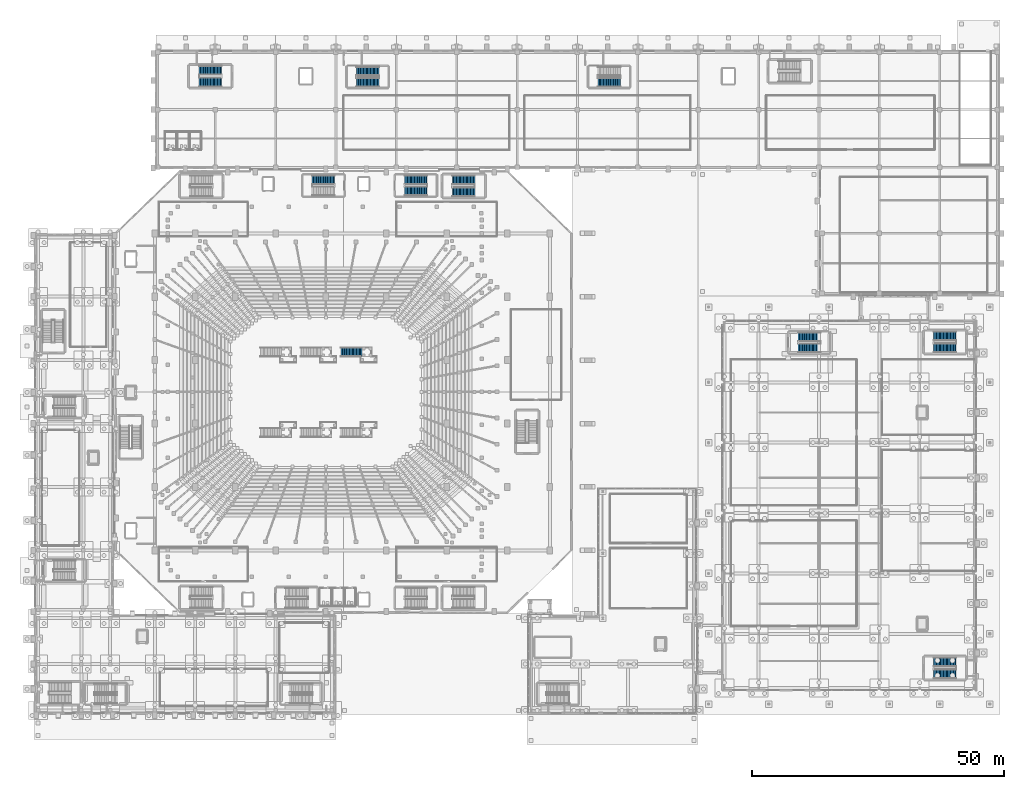
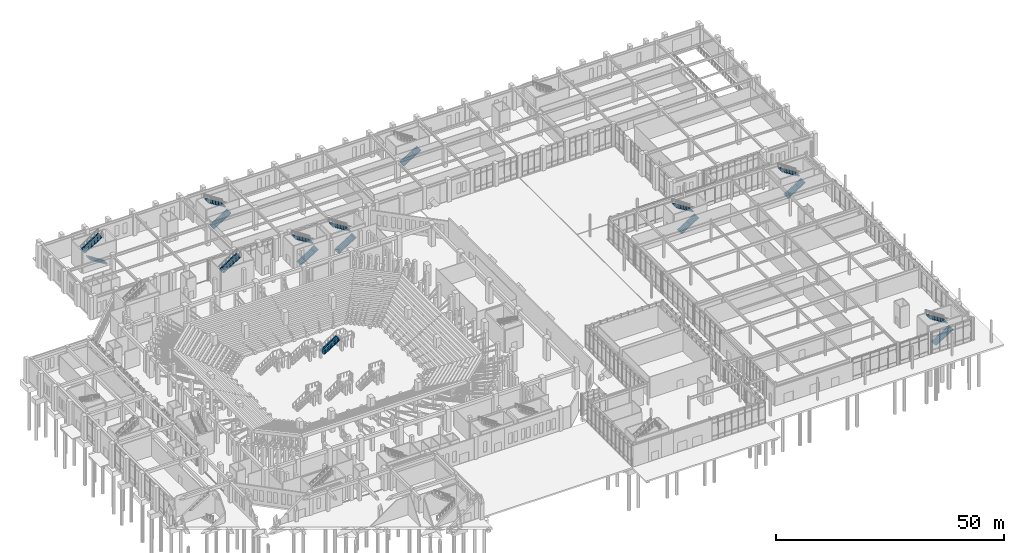
# One storey, part 124 of 143: 17 stair flights, 10 elements without a shape of their own.
"""IFC4 building model written with IfcOpenShell, lengths in metres."""

from ifc_helpers import new_model, si_unit, derived_unit, direction, frame, origin, place, context, subcontext, project, spatial, polyline, outline, extrude, material, type_object, element, aggregate, save


model = new_model("IFC4")

# Units and contexts
model_context = context("Model", 3, precision=1e-05, world=origin(), true_north=direction((0.0, 1.0)))
body_context = subcontext(model_context, "Body", "Model", "MODEL_VIEW")
ifc_project = project(units=[si_unit("LENGTHUNIT", "METRE"), si_unit("AREAUNIT", "SQUARE_METRE"), si_unit("VOLUMEUNIT", "CUBIC_METRE"), si_unit("PLANEANGLEUNIT", "RADIAN"), si_unit("MASSUNIT", "GRAM", prefix="KILO"), derived_unit("THERMALTRANSMITTANCEUNIT", [(si_unit("MASSUNIT", "GRAM", prefix="KILO"), 1), (si_unit("TIMEUNIT", "SECOND"), -3), (si_unit("THERMODYNAMICTEMPERATUREUNIT", "KELVIN"), -1)])], contexts=[model_context])

# Site, building, storey
site_placement = place(None, origin())
site = spatial("IfcSite", under=ifc_project, at=site_placement, CompositionType="ELEMENT")
building_placement = place(site_placement, origin())
building = spatial("IfcBuilding", under=site, at=building_placement, Name="Valcora Ridge Arena", CompositionType="ELEMENT")
storey_placement = place(building_placement, origin())
storey = spatial("IfcBuildingStorey", under=building, at=storey_placement, Name="L00", CompositionType="ELEMENT", Elevation=0.0)

# Stair, stair flight
ifc_material = material(Name="Concrete C40/50", Category="concrete")
stair_type_1 = type_object("IfcStairType", Name="TY-STAIR-ES03-60", PredefinedType="HALF_TURN_STAIR", material=ifc_material)
stair_1_placement = place(storey_placement, origin())
stair_1 = element("IfcStair", 1, at=stair_1_placement, inside=storey, type_object=stair_type_1, Name="ES03-60 STR-ES-0009", PredefinedType="HALF_TURN_STAIR")
stair_flight_type_1 = type_object("IfcStairFlightType", Name="TY-FLIGHT-ES03-60", PredefinedType="STRAIGHT", material=ifc_material)
stair_flight_1_placement = place(storey_placement, frame((55.260009765625, 106.219970703125, 3.0), z_axis=(0.0, 0.0, 1.0), x_axis=(1.0, 0.0, 0.0)))
stair_flight_1 = element("IfcStairFlight", 2, at=stair_flight_1_placement, type_object=stair_flight_type_1, Name="ES03-60 flight 2", NumberOfRisers=17, NumberOfTreads=16, PredefinedType="STRAIGHT", RiserHeight=0.176471, TreadLength=0.28, context=body_context, shape_type="SweptSolid", body=[
    extrude(outline(polyline([(0.0, 0.0), (0.0, 0.176513671875), (0.280029296875, 0.176513671875), (0.280029296875, 0.35302734375), (0.56005859375, 0.35302734375), (0.56005859375, 0.529296875), (0.840087890625, 0.529296875), (0.840087890625, 0.705810546875), (1.1201171875, 0.705810546875), (1.1201171875, 0.88232421875), (1.39990234375, 0.88232421875), (1.39990234375, 1.058837890625), (1.679931640625, 1.058837890625), (1.679931640625, 1.2353515625), (1.9599609375, 1.2353515625), (1.9599609375, 1.411865234375), (2.239990234375, 1.411865234375), (2.239990234375, 1.588134765625), (2.52001953125, 1.588134765625), (2.52001953125, 1.7646484375), (2.800048828125, 1.7646484375), (2.800048828125, 1.941162109375), (3.080078125, 1.941162109375), (3.080078125, 2.11767578125), (3.360107421875, 2.11767578125), (3.360107421875, 2.294189453125), (3.639892578125, 2.294189453125), (3.639892578125, 2.470703125), (3.919921875, 2.470703125), (3.919921875, 2.64697265625), (4.199951171875, 2.64697265625), (4.199951171875, 2.823486328125), (4.47998046875, 2.823486328125), (4.47998046875, 3.0), (4.47998046875, 2.61083984375), (0.33740234375, 0.0), (0.0, 0.0)])), frame((0.0, 0.89990234375, 0.0), z_axis=(0.0, -1.0, 0.0), x_axis=(1.0, 0.0, 0.0)), (0.0, 0.0, 1.0), 1.800048828125),
])
aggregate(stair_1, [stair_flight_1])

# Stair, stair flights
stair_type_2 = type_object("IfcStairType", Name="TY-STAIR-ES04-60", PredefinedType="HALF_TURN_STAIR", material=ifc_material)
stair_2_placement = place(storey_placement, origin())
stair_2 = element("IfcStair", 3, at=stair_2_placement, inside=storey, type_object=stair_type_2, Name="ES04-60 STR-ES-0013", PredefinedType="HALF_TURN_STAIR")
stair_flight_type_2 = type_object("IfcStairFlightType", Name="TY-FLIGHT-ES04-60", PredefinedType="STRAIGHT", material=ifc_material)
stair_flight_2_placement = place(storey_placement, frame((73.659912109375, 103.97998046875, 0.0), z_axis=(0.0, 0.0, 1.0), x_axis=(1.0, 0.0, 0.0)))
stair_flight_2 = element("IfcStairFlight", 4, at=stair_flight_2_placement, type_object=stair_flight_type_2, Name="ES04-60 flight 1", NumberOfRisers=17, NumberOfTreads=16, PredefinedType="STRAIGHT", RiserHeight=0.176471, TreadLength=0.28, context=body_context, shape_type="SweptSolid", body=[
    extrude(outline(polyline([(0.0, 0.0), (0.0, 0.176513671875), (0.280029296875, 0.176513671875), (0.280029296875, 0.35302734375), (0.56005859375, 0.35302734375), (0.56005859375, 0.529296875), (0.840087890625, 0.529296875), (0.840087890625, 0.705810546875), (1.1201171875, 0.705810546875), (1.1201171875, 0.88232421875), (1.39990234375, 0.88232421875), (1.39990234375, 1.058837890625), (1.679931640625, 1.058837890625), (1.679931640625, 1.2353515625), (1.9599609375, 1.2353515625), (1.9599609375, 1.411865234375), (2.239990234375, 1.411865234375), (2.239990234375, 1.588134765625), (2.52001953125, 1.588134765625), (2.52001953125, 1.7646484375), (2.800048828125, 1.7646484375), (2.800048828125, 1.941162109375), (3.080078125, 1.941162109375), (3.080078125, 2.11767578125), (3.360107421875, 2.11767578125), (3.360107421875, 2.294189453125), (3.639892578125, 2.294189453125), (3.639892578125, 2.470703125), (3.919921875, 2.470703125), (3.919921875, 2.64697265625), (4.199951171875, 2.64697265625), (4.199951171875, 2.823486328125), (4.47998046875, 2.823486328125), (4.47998046875, 3.0), (4.47998046875, 2.61083984375), (0.33740234375, 0.0), (0.0, 0.0)])), frame((0.0, 0.89990234375, 0.0), z_axis=(0.0, -1.0, 0.0), x_axis=(1.0, 0.0, 0.0)), (0.0, 0.0, 1.0), 1.800048828125),
])
stair_flight_3_placement = place(storey_placement, frame((78.139892578125, 106.219970703125, 3.0), z_axis=(0.0, 0.0, 1.0), x_axis=(-1.0, 0.0, 0.0)))
stair_flight_3 = element("IfcStairFlight", 5, at=stair_flight_3_placement, type_object=stair_flight_type_2, Name="ES04-60 flight 2", NumberOfRisers=17, NumberOfTreads=16, PredefinedType="STRAIGHT", RiserHeight=0.176471, TreadLength=0.28, context=body_context, shape_type="SweptSolid", body=[
    extrude(outline(polyline([(0.0, 0.0), (0.0, 0.176513671875), (0.280029296875, 0.176513671875), (0.280029296875, 0.35302734375), (0.56005859375, 0.35302734375), (0.56005859375, 0.529296875), (0.840087890625, 0.529296875), (0.840087890625, 0.705810546875), (1.1201171875, 0.705810546875), (1.1201171875, 0.88232421875), (1.39990234375, 0.88232421875), (1.39990234375, 1.058837890625), (1.679931640625, 1.058837890625), (1.679931640625, 1.2353515625), (1.9599609375, 1.2353515625), (1.9599609375, 1.411865234375), (2.239990234375, 1.411865234375), (2.239990234375, 1.588134765625), (2.52001953125, 1.588134765625), (2.52001953125, 1.7646484375), (2.800048828125, 1.7646484375), (2.800048828125, 1.941162109375), (3.080078125, 1.941162109375), (3.080078125, 2.11767578125), (3.360107421875, 2.11767578125), (3.360107421875, 2.294189453125), (3.639892578125, 2.294189453125), (3.639892578125, 2.470703125), (3.919921875, 2.470703125), (3.919921875, 2.64697265625), (4.199951171875, 2.64697265625), (4.199951171875, 2.823486328125), (4.47998046875, 2.823486328125), (4.47998046875, 3.0), (4.47998046875, 2.61083984375), (0.33740234375, 0.0), (0.0, 0.0)])), frame((0.0, 0.89990234375, 0.0), z_axis=(0.0, -1.0, 0.0), x_axis=(1.0, 0.0, 0.0)), (0.0, 0.0, 1.0), 1.800048828125),
])
aggregate(stair_2, [stair_flight_2, stair_flight_3])

stair_type_3 = type_object("IfcStairType", Name="TY-STAIR-ES09-60", PredefinedType="HALF_TURN_STAIR", material=ifc_material)
stair_3_placement = place(storey_placement, origin())
stair_3 = element("IfcStair", 6, at=stair_3_placement, inside=storey, type_object=stair_type_3, Name="ES09-60 STR-ES-0030", PredefinedType="HALF_TURN_STAIR")
stair_flight_type_3 = type_object("IfcStairFlightType", Name="TY-FLIGHT-ES09-60", PredefinedType="STRAIGHT", material=ifc_material)
stair_flight_4_placement = place(storey_placement, frame((64.06005859375, 125.580078125, 0.0), z_axis=(0.0, 0.0, 1.0), x_axis=(1.0, 0.0, 0.0)))
stair_flight_4 = element("IfcStairFlight", 7, at=stair_flight_4_placement, type_object=stair_flight_type_3, Name="ES09-60 flight 1", NumberOfRisers=17, NumberOfTreads=16, PredefinedType="STRAIGHT", RiserHeight=0.176471, TreadLength=0.28, context=body_context, shape_type="SweptSolid", body=[
    extrude(outline(polyline([(0.0, 0.0), (0.0, 0.176513671875), (0.280029296875, 0.176513671875), (0.280029296875, 0.35302734375), (0.56005859375, 0.35302734375), (0.56005859375, 0.529296875), (0.840087890625, 0.529296875), (0.840087890625, 0.705810546875), (1.1201171875, 0.705810546875), (1.1201171875, 0.88232421875), (1.39990234375, 0.88232421875), (1.39990234375, 1.058837890625), (1.679931640625, 1.058837890625), (1.679931640625, 1.2353515625), (1.9599609375, 1.2353515625), (1.9599609375, 1.411865234375), (2.239990234375, 1.411865234375), (2.239990234375, 1.588134765625), (2.52001953125, 1.588134765625), (2.52001953125, 1.7646484375), (2.800048828125, 1.7646484375), (2.800048828125, 1.941162109375), (3.080078125, 1.941162109375), (3.080078125, 2.11767578125), (3.360107421875, 2.11767578125), (3.360107421875, 2.294189453125), (3.639892578125, 2.294189453125), (3.639892578125, 2.470703125), (3.919921875, 2.470703125), (3.919921875, 2.64697265625), (4.199951171875, 2.64697265625), (4.199951171875, 2.823486328125), (4.47998046875, 2.823486328125), (4.47998046875, 3.0), (4.47998046875, 2.61083984375), (0.33740234375, 0.0), (0.0, 0.0)])), frame((0.0, 0.89990234375, 0.0), z_axis=(0.0, -1.0, 0.0), x_axis=(1.0, 0.0, 0.0)), (0.0, 0.0, 1.0), 1.800048828125),
])
stair_flight_5_placement = place(storey_placement, frame((68.5400390625, 127.820068359375, 3.0), z_axis=(0.0, 0.0, 1.0), x_axis=(-1.0, 0.0, 0.0)))
stair_flight_5 = element("IfcStairFlight", 8, at=stair_flight_5_placement, type_object=stair_flight_type_3, Name="ES09-60 flight 2", NumberOfRisers=17, NumberOfTreads=16, PredefinedType="STRAIGHT", RiserHeight=0.176471, TreadLength=0.28, context=body_context, shape_type="SweptSolid", body=[
    extrude(outline(polyline([(0.0, 0.0), (0.0, 0.176513671875), (0.280029296875, 0.176513671875), (0.280029296875, 0.35302734375), (0.56005859375, 0.35302734375), (0.56005859375, 0.529296875), (0.840087890625, 0.529296875), (0.840087890625, 0.705810546875), (1.1201171875, 0.705810546875), (1.1201171875, 0.88232421875), (1.39990234375, 0.88232421875), (1.39990234375, 1.058837890625), (1.679931640625, 1.058837890625), (1.679931640625, 1.2353515625), (1.9599609375, 1.2353515625), (1.9599609375, 1.411865234375), (2.239990234375, 1.411865234375), (2.239990234375, 1.588134765625), (2.52001953125, 1.588134765625), (2.52001953125, 1.7646484375), (2.800048828125, 1.7646484375), (2.800048828125, 1.941162109375), (3.080078125, 1.941162109375), (3.080078125, 2.11767578125), (3.360107421875, 2.11767578125), (3.360107421875, 2.294189453125), (3.639892578125, 2.294189453125), (3.639892578125, 2.470703125), (3.919921875, 2.470703125), (3.919921875, 2.64697265625), (4.199951171875, 2.64697265625), (4.199951171875, 2.823486328125), (4.47998046875, 2.823486328125), (4.47998046875, 3.0), (4.47998046875, 2.61083984375), (0.33740234375, 0.0), (0.0, 0.0)])), frame((0.0, 0.89990234375, 0.0), z_axis=(0.0, -1.0, 0.0), x_axis=(1.0, 0.0, 0.0)), (0.0, 0.0, 1.0), 1.800048828125),
])
aggregate(stair_3, [stair_flight_4, stair_flight_5])

# Stair, stair flight
stair_type_4 = type_object("IfcStairType", Name="TY-STAIR-ES10-60", PredefinedType="HALF_TURN_STAIR", material=ifc_material)
stair_4_placement = place(storey_placement, origin())
stair_4 = element("IfcStair", 9, at=stair_4_placement, inside=storey, type_object=stair_type_4, Name="ES10-60 STR-ES-0033", PredefinedType="HALF_TURN_STAIR")
stair_flight_type_4 = type_object("IfcStairFlightType", Name="TY-FLIGHT-ES10-60", PredefinedType="STRAIGHT", material=ifc_material)
stair_flight_6_placement = place(storey_placement, frame((112.06005859375, 125.580078125, 0.0), z_axis=(0.0, 0.0, 1.0), x_axis=(1.0, 0.0, 0.0)))
stair_flight_6 = element("IfcStairFlight", 10, at=stair_flight_6_placement, type_object=stair_flight_type_4, Name="ES10-60 flight 1", NumberOfRisers=17, NumberOfTreads=16, PredefinedType="STRAIGHT", RiserHeight=0.176471, TreadLength=0.28, context=body_context, shape_type="SweptSolid", body=[
    extrude(outline(polyline([(0.0, 0.0), (0.0, 0.176513671875), (0.280029296875, 0.176513671875), (0.280029296875, 0.35302734375), (0.56005859375, 0.35302734375), (0.56005859375, 0.529296875), (0.840087890625, 0.529296875), (0.840087890625, 0.705810546875), (1.1201171875, 0.705810546875), (1.1201171875, 0.88232421875), (1.39990234375, 0.88232421875), (1.39990234375, 1.058837890625), (1.679931640625, 1.058837890625), (1.679931640625, 1.2353515625), (1.9599609375, 1.2353515625), (1.9599609375, 1.411865234375), (2.239990234375, 1.411865234375), (2.239990234375, 1.588134765625), (2.52001953125, 1.588134765625), (2.52001953125, 1.7646484375), (2.800048828125, 1.7646484375), (2.800048828125, 1.941162109375), (3.080078125, 1.941162109375), (3.080078125, 2.11767578125), (3.360107421875, 2.11767578125), (3.360107421875, 2.294189453125), (3.639892578125, 2.294189453125), (3.639892578125, 2.470703125), (3.919921875, 2.470703125), (3.919921875, 2.64697265625), (4.199951171875, 2.64697265625), (4.199951171875, 2.823486328125), (4.47998046875, 2.823486328125), (4.47998046875, 3.0), (4.47998046875, 2.61083984375), (0.33740234375, 0.0), (0.0, 0.0)])), frame((0.0, 0.89990234375, 0.0), z_axis=(0.0, -1.0, 0.0), x_axis=(1.0, 0.0, 0.0)), (0.0, 0.0, 1.0), 1.800048828125),
])
aggregate(stair_4, [stair_flight_6])

# Stair, stair flights
stair_type_5 = type_object("IfcStairType", Name="TY-STAIR-ES12-60", PredefinedType="HALF_TURN_STAIR", material=ifc_material)
stair_5_placement = place(storey_placement, origin())
stair_5 = element("IfcStair", 11, at=stair_5_placement, inside=storey, type_object=stair_type_5, Name="ES12-60 STR-ES-0037", PredefinedType="HALF_TURN_STAIR")
stair_flight_type_5 = type_object("IfcStairFlightType", Name="TY-FLIGHT-ES12-60", PredefinedType="STRAIGHT", material=ifc_material)
stair_flight_7_placement = place(storey_placement, frame((151.860107421875, 72.780029296875, 0.0), z_axis=(0.0, 0.0, 1.0), x_axis=(1.0, 0.0, 0.0)))
stair_flight_7 = element("IfcStairFlight", 12, at=stair_flight_7_placement, type_object=stair_flight_type_5, Name="ES12-60 flight 1", NumberOfRisers=17, NumberOfTreads=16, PredefinedType="STRAIGHT", RiserHeight=0.176471, TreadLength=0.28, context=body_context, shape_type="SweptSolid", body=[
    extrude(outline(polyline([(0.0, 0.0), (0.0, 0.176513671875), (0.280029296875, 0.176513671875), (0.280029296875, 0.35302734375), (0.56005859375, 0.35302734375), (0.56005859375, 0.529296875), (0.840087890625, 0.529296875), (0.840087890625, 0.705810546875), (1.1201171875, 0.705810546875), (1.1201171875, 0.88232421875), (1.39990234375, 0.88232421875), (1.39990234375, 1.058837890625), (1.679931640625, 1.058837890625), (1.679931640625, 1.2353515625), (1.9599609375, 1.2353515625), (1.9599609375, 1.411865234375), (2.239990234375, 1.411865234375), (2.239990234375, 1.588134765625), (2.52001953125, 1.588134765625), (2.52001953125, 1.7646484375), (2.800048828125, 1.7646484375), (2.800048828125, 1.941162109375), (3.080078125, 1.941162109375), (3.080078125, 2.11767578125), (3.360107421875, 2.11767578125), (3.360107421875, 2.294189453125), (3.639892578125, 2.294189453125), (3.639892578125, 2.470703125), (3.919921875, 2.470703125), (3.919921875, 2.64697265625), (4.199951171875, 2.64697265625), (4.199951171875, 2.823486328125), (4.47998046875, 2.823486328125), (4.47998046875, 3.0), (4.47998046875, 2.61083984375), (0.33740234375, 0.0), (0.0, 0.0)])), frame((0.0, 0.89990234375, 0.0), z_axis=(0.0, -1.0, 0.0), x_axis=(1.0, 0.0, 0.0)), (0.0, 0.0, 1.0), 1.800048828125),
])
stair_flight_8_placement = place(storey_placement, frame((156.340087890625, 75.02001953125, 3.0), z_axis=(0.0, 0.0, 1.0), x_axis=(-1.0, 0.0, 0.0)))
stair_flight_8 = element("IfcStairFlight", 13, at=stair_flight_8_placement, type_object=stair_flight_type_5, Name="ES12-60 flight 2", NumberOfRisers=17, NumberOfTreads=16, PredefinedType="STRAIGHT", RiserHeight=0.176471, TreadLength=0.28, context=body_context, shape_type="SweptSolid", body=[
    extrude(outline(polyline([(0.0, 0.0), (0.0, 0.176513671875), (0.280029296875, 0.176513671875), (0.280029296875, 0.35302734375), (0.56005859375, 0.35302734375), (0.56005859375, 0.529296875), (0.840087890625, 0.529296875), (0.840087890625, 0.705810546875), (1.1201171875, 0.705810546875), (1.1201171875, 0.88232421875), (1.39990234375, 0.88232421875), (1.39990234375, 1.058837890625), (1.679931640625, 1.058837890625), (1.679931640625, 1.2353515625), (1.9599609375, 1.2353515625), (1.9599609375, 1.411865234375), (2.239990234375, 1.411865234375), (2.239990234375, 1.588134765625), (2.52001953125, 1.588134765625), (2.52001953125, 1.7646484375), (2.800048828125, 1.7646484375), (2.800048828125, 1.941162109375), (3.080078125, 1.941162109375), (3.080078125, 2.11767578125), (3.360107421875, 2.11767578125), (3.360107421875, 2.294189453125), (3.639892578125, 2.294189453125), (3.639892578125, 2.470703125), (3.919921875, 2.470703125), (3.919921875, 2.64697265625), (4.199951171875, 2.64697265625), (4.199951171875, 2.823486328125), (4.47998046875, 2.823486328125), (4.47998046875, 3.0), (4.47998046875, 2.61083984375), (0.33740234375, 0.0), (0.0, 0.0)])), frame((0.0, 0.89990234375, 0.0), z_axis=(0.0, -1.0, 0.0), x_axis=(1.0, 0.0, 0.0)), (0.0, 0.0, 1.0), 1.800048828125),
])
aggregate(stair_5, [stair_flight_7, stair_flight_8])

stair_type_6 = type_object("IfcStairType", Name="TY-STAIR-ST04-60", PredefinedType="HALF_TURN_STAIR", material=ifc_material)
stair_6_placement = place(storey_placement, origin())
stair_6 = element("IfcStair", 14, at=stair_6_placement, inside=storey, type_object=stair_type_6, Name="ST04-60 STR-CR-0019", PredefinedType="HALF_TURN_STAIR")
stair_flight_type_6 = type_object("IfcStairFlightType", Name="TY-FLIGHT-ST04-60", PredefinedType="STRAIGHT", material=ifc_material)
stair_flight_9_placement = place(storey_placement, frame((83.110107421875, 103.804931640625, 0.0), z_axis=(0.0, 0.0, 1.0), x_axis=(1.0, 0.0, 0.0)))
stair_flight_9 = element("IfcStairFlight", 15, at=stair_flight_9_placement, type_object=stair_flight_type_6, Name="ST04-60 flight 1", NumberOfRisers=17, NumberOfTreads=16, PredefinedType="STRAIGHT", RiserHeight=0.176471, TreadLength=0.28, context=body_context, shape_type="SweptSolid", body=[
    extrude(outline(polyline([(0.0, 0.0), (0.0, 0.176513671875), (0.280029296875, 0.176513671875), (0.280029296875, 0.35302734375), (0.56005859375, 0.35302734375), (0.56005859375, 0.529296875), (0.840087890625, 0.529296875), (0.840087890625, 0.705810546875), (1.1201171875, 0.705810546875), (1.1201171875, 0.88232421875), (1.39990234375, 0.88232421875), (1.39990234375, 1.058837890625), (1.679931640625, 1.058837890625), (1.679931640625, 1.2353515625), (1.9599609375, 1.2353515625), (1.9599609375, 1.411865234375), (2.239990234375, 1.411865234375), (2.239990234375, 1.588134765625), (2.52001953125, 1.588134765625), (2.52001953125, 1.7646484375), (2.800048828125, 1.7646484375), (2.800048828125, 1.941162109375), (3.080078125, 1.941162109375), (3.080078125, 2.11767578125), (3.360107421875, 2.11767578125), (3.360107421875, 2.294189453125), (3.639892578125, 2.294189453125), (3.639892578125, 2.470703125), (3.919921875, 2.470703125), (3.919921875, 2.64697265625), (4.199951171875, 2.64697265625), (4.199951171875, 2.823486328125), (4.47998046875, 2.823486328125), (4.47998046875, 3.0), (4.47998046875, 2.61083984375), (0.33740234375, 0.0), (0.0, 0.0)])), frame((0.0, 0.925048828125, 0.0), z_axis=(0.0, -1.0, 0.0), x_axis=(1.0, 0.0, 0.0)), (0.0, 0.0, 1.0), 1.85009765625),
])
stair_flight_10_placement = place(storey_placement, frame((87.590087890625, 106.195068359375, 3.0), z_axis=(0.0, 0.0, 1.0), x_axis=(-1.0, 0.0, 0.0)))
stair_flight_10 = element("IfcStairFlight", 16, at=stair_flight_10_placement, type_object=stair_flight_type_6, Name="ST04-60 flight 2", NumberOfRisers=17, NumberOfTreads=16, PredefinedType="STRAIGHT", RiserHeight=0.176471, TreadLength=0.28, context=body_context, shape_type="SweptSolid", body=[
    extrude(outline(polyline([(0.0, 0.0), (0.0, 0.176513671875), (0.280029296875, 0.176513671875), (0.280029296875, 0.35302734375), (0.56005859375, 0.35302734375), (0.56005859375, 0.529296875), (0.840087890625, 0.529296875), (0.840087890625, 0.705810546875), (1.1201171875, 0.705810546875), (1.1201171875, 0.88232421875), (1.39990234375, 0.88232421875), (1.39990234375, 1.058837890625), (1.679931640625, 1.058837890625), (1.679931640625, 1.2353515625), (1.9599609375, 1.2353515625), (1.9599609375, 1.411865234375), (2.239990234375, 1.411865234375), (2.239990234375, 1.588134765625), (2.52001953125, 1.588134765625), (2.52001953125, 1.7646484375), (2.800048828125, 1.7646484375), (2.800048828125, 1.941162109375), (3.080078125, 1.941162109375), (3.080078125, 2.11767578125), (3.360107421875, 2.11767578125), (3.360107421875, 2.294189453125), (3.639892578125, 2.294189453125), (3.639892578125, 2.470703125), (3.919921875, 2.470703125), (3.919921875, 2.64697265625), (4.199951171875, 2.64697265625), (4.199951171875, 2.823486328125), (4.47998046875, 2.823486328125), (4.47998046875, 3.0), (4.47998046875, 2.61083984375), (0.33740234375, 0.0), (0.0, 0.0)])), frame((0.0, 0.925048828125, 0.0), z_axis=(0.0, -1.0, 0.0), x_axis=(1.0, 0.0, 0.0)), (0.0, 0.0, 1.0), 1.85009765625),
])
aggregate(stair_6, [stair_flight_9, stair_flight_10])

stair_type_7 = type_object("IfcStairType", Name="TY-STAIR-ST09-60", PredefinedType="HALF_TURN_STAIR", material=ifc_material)
stair_7_placement = place(storey_placement, origin())
stair_7 = element("IfcStair", 17, at=stair_7_placement, inside=storey, type_object=stair_type_7, Name="ST09-60 STR-CR-0038", PredefinedType="HALF_TURN_STAIR")
stair_flight_type_7 = type_object("IfcStairFlightType", Name="TY-FLIGHT-ST09-60", PredefinedType="STRAIGHT", material=ifc_material)
stair_flight_11_placement = place(storey_placement, frame((37.2900390625, 125.60498046875, 0.0), z_axis=(0.0, 0.0, 1.0), x_axis=(-1.0, 0.0, 0.0)))
stair_flight_11 = element("IfcStairFlight", 18, at=stair_flight_11_placement, type_object=stair_flight_type_7, Name="ST09-60 flight 1", NumberOfRisers=17, NumberOfTreads=16, PredefinedType="STRAIGHT", RiserHeight=0.176471, TreadLength=0.28, context=body_context, shape_type="SweptSolid", body=[
    extrude(outline(polyline([(0.0, 0.0), (0.0, 0.176513671875), (0.280029296875, 0.176513671875), (0.280029296875, 0.35302734375), (0.56005859375, 0.35302734375), (0.56005859375, 0.529296875), (0.840087890625, 0.529296875), (0.840087890625, 0.705810546875), (1.1201171875, 0.705810546875), (1.1201171875, 0.88232421875), (1.39990234375, 0.88232421875), (1.39990234375, 1.058837890625), (1.679931640625, 1.058837890625), (1.679931640625, 1.2353515625), (1.9599609375, 1.2353515625), (1.9599609375, 1.411865234375), (2.239990234375, 1.411865234375), (2.239990234375, 1.588134765625), (2.52001953125, 1.588134765625), (2.52001953125, 1.7646484375), (2.800048828125, 1.7646484375), (2.800048828125, 1.941162109375), (3.080078125, 1.941162109375), (3.080078125, 2.11767578125), (3.360107421875, 2.11767578125), (3.360107421875, 2.294189453125), (3.639892578125, 2.294189453125), (3.639892578125, 2.470703125), (3.919921875, 2.470703125), (3.919921875, 2.64697265625), (4.199951171875, 2.64697265625), (4.199951171875, 2.823486328125), (4.47998046875, 2.823486328125), (4.47998046875, 3.0), (4.47998046875, 2.61083984375), (0.33740234375, 0.0), (0.0, 0.0)])), frame((0.0, 0.925048828125, 0.0), z_axis=(0.0, -1.0, 0.0), x_axis=(1.0, 0.0, 0.0)), (0.0, 0.0, 1.0), 1.85009765625),
])
stair_flight_12_placement = place(storey_placement, frame((32.81005859375, 127.9951171875, 3.0), z_axis=(0.0, 0.0, 1.0), x_axis=(1.0, 0.0, 0.0)))
stair_flight_12 = element("IfcStairFlight", 19, at=stair_flight_12_placement, type_object=stair_flight_type_7, Name="ST09-60 flight 2", NumberOfRisers=17, NumberOfTreads=16, PredefinedType="STRAIGHT", RiserHeight=0.176471, TreadLength=0.28, context=body_context, shape_type="SweptSolid", body=[
    extrude(outline(polyline([(0.0, 0.0), (0.0, 0.176513671875), (0.280029296875, 0.176513671875), (0.280029296875, 0.35302734375), (0.56005859375, 0.35302734375), (0.56005859375, 0.529296875), (0.840087890625, 0.529296875), (0.840087890625, 0.705810546875), (1.1201171875, 0.705810546875), (1.1201171875, 0.88232421875), (1.39990234375, 0.88232421875), (1.39990234375, 1.058837890625), (1.679931640625, 1.058837890625), (1.679931640625, 1.2353515625), (1.9599609375, 1.2353515625), (1.9599609375, 1.411865234375), (2.239990234375, 1.411865234375), (2.239990234375, 1.588134765625), (2.52001953125, 1.588134765625), (2.52001953125, 1.7646484375), (2.800048828125, 1.7646484375), (2.800048828125, 1.941162109375), (3.080078125, 1.941162109375), (3.080078125, 2.11767578125), (3.360107421875, 2.11767578125), (3.360107421875, 2.294189453125), (3.639892578125, 2.294189453125), (3.639892578125, 2.470703125), (3.919921875, 2.470703125), (3.919921875, 2.64697265625), (4.199951171875, 2.64697265625), (4.199951171875, 2.823486328125), (4.47998046875, 2.823486328125), (4.47998046875, 3.0), (4.47998046875, 2.61083984375), (0.33740234375, 0.0), (0.0, 0.0)])), frame((0.0, 0.925048828125, 0.0), z_axis=(0.0, -1.0, 0.0), x_axis=(1.0, 0.0, 0.0)), (0.0, 0.0, 1.0), 1.85009765625),
])
aggregate(stair_7, [stair_flight_11, stair_flight_12])

stair_type_8 = type_object("IfcStairType", Name="TY-STAIR-ST11-60", PredefinedType="HALF_TURN_STAIR", material=ifc_material)
stair_8_placement = place(storey_placement, origin())
stair_8 = element("IfcStair", 20, at=stair_8_placement, inside=storey, type_object=stair_type_8, Name="ST11-60 STR-CR-0045", PredefinedType="HALF_TURN_STAIR")
stair_flight_type_8 = type_object("IfcStairFlightType", Name="TY-FLIGHT-ST11-60", PredefinedType="STRAIGHT", material=ifc_material)
stair_flight_13_placement = place(storey_placement, frame((178.7900390625, 8.0048828125, 0.0), z_axis=(0.0, 0.0, 1.0), x_axis=(1.0, 0.0, 0.0)))
stair_flight_13 = element("IfcStairFlight", 21, at=stair_flight_13_placement, type_object=stair_flight_type_8, Name="ST11-60 flight 1", NumberOfRisers=17, NumberOfTreads=16, PredefinedType="STRAIGHT", RiserHeight=0.176471, TreadLength=0.28, context=body_context, shape_type="SweptSolid", body=[
    extrude(outline(polyline([(0.0, 0.0), (0.0, 0.176513671875), (0.280029296875, 0.176513671875), (0.280029296875, 0.35302734375), (0.56005859375, 0.35302734375), (0.56005859375, 0.529296875), (0.840087890625, 0.529296875), (0.840087890625, 0.705810546875), (1.1201171875, 0.705810546875), (1.1201171875, 0.88232421875), (1.39990234375, 0.88232421875), (1.39990234375, 1.058837890625), (1.679931640625, 1.058837890625), (1.679931640625, 1.2353515625), (1.9599609375, 1.2353515625), (1.9599609375, 1.411865234375), (2.239990234375, 1.411865234375), (2.239990234375, 1.588134765625), (2.52001953125, 1.588134765625), (2.52001953125, 1.7646484375), (2.800048828125, 1.7646484375), (2.800048828125, 1.941162109375), (3.080078125, 1.941162109375), (3.080078125, 2.11767578125), (3.360107421875, 2.11767578125), (3.360107421875, 2.294189453125), (3.639892578125, 2.294189453125), (3.639892578125, 2.470703125), (3.919921875, 2.470703125), (3.919921875, 2.64697265625), (4.199951171875, 2.64697265625), (4.199951171875, 2.823486328125), (4.47998046875, 2.823486328125), (4.47998046875, 3.0), (4.47998046875, 2.61083984375), (0.33740234375, 0.0), (0.0, 0.0)])), frame((0.0, 0.925048828125, 0.0), z_axis=(0.0, -1.0, 0.0), x_axis=(1.0, 0.0, 0.0)), (0.0, 0.0, 1.0), 1.85009765625),
])
stair_flight_14_placement = place(storey_placement, frame((183.27001953125, 10.39501953125, 3.0), z_axis=(0.0, 0.0, 1.0), x_axis=(-1.0, 0.0, 0.0)))
stair_flight_14 = element("IfcStairFlight", 22, at=stair_flight_14_placement, type_object=stair_flight_type_8, Name="ST11-60 flight 2", NumberOfRisers=17, NumberOfTreads=16, PredefinedType="STRAIGHT", RiserHeight=0.176471, TreadLength=0.28, context=body_context, shape_type="SweptSolid", body=[
    extrude(outline(polyline([(0.0, 0.0), (0.0, 0.176513671875), (0.280029296875, 0.176513671875), (0.280029296875, 0.35302734375), (0.56005859375, 0.35302734375), (0.56005859375, 0.529296875), (0.840087890625, 0.529296875), (0.840087890625, 0.705810546875), (1.1201171875, 0.705810546875), (1.1201171875, 0.88232421875), (1.39990234375, 0.88232421875), (1.39990234375, 1.058837890625), (1.679931640625, 1.058837890625), (1.679931640625, 1.2353515625), (1.9599609375, 1.2353515625), (1.9599609375, 1.411865234375), (2.239990234375, 1.411865234375), (2.239990234375, 1.588134765625), (2.52001953125, 1.588134765625), (2.52001953125, 1.7646484375), (2.800048828125, 1.7646484375), (2.800048828125, 1.941162109375), (3.080078125, 1.941162109375), (3.080078125, 2.11767578125), (3.360107421875, 2.11767578125), (3.360107421875, 2.294189453125), (3.639892578125, 2.294189453125), (3.639892578125, 2.470703125), (3.919921875, 2.470703125), (3.919921875, 2.64697265625), (4.199951171875, 2.64697265625), (4.199951171875, 2.823486328125), (4.47998046875, 2.823486328125), (4.47998046875, 3.0), (4.47998046875, 2.61083984375), (0.33740234375, 0.0), (0.0, 0.0)])), frame((0.0, 0.925048828125, 0.0), z_axis=(0.0, -1.0, 0.0), x_axis=(1.0, 0.0, 0.0)), (0.0, 0.0, 1.0), 1.85009765625),
])
aggregate(stair_8, [stair_flight_13, stair_flight_14])

stair_type_9 = type_object("IfcStairType", Name="TY-STAIR-ST12-60", PredefinedType="HALF_TURN_STAIR", material=ifc_material)
stair_9_placement = place(storey_placement, origin())
stair_9 = element("IfcStair", 23, at=stair_9_placement, inside=storey, type_object=stair_type_9, Name="ST12-60 STR-CR-0047", PredefinedType="HALF_TURN_STAIR")
stair_flight_type_9 = type_object("IfcStairFlightType", Name="TY-FLIGHT-ST12-60", PredefinedType="STRAIGHT", material=ifc_material)
stair_flight_15_placement = place(storey_placement, frame((178.7900390625, 72.804931640625, 0.0), z_axis=(0.0, 0.0, 1.0), x_axis=(1.0, 0.0, 0.0)))
stair_flight_15 = element("IfcStairFlight", 24, at=stair_flight_15_placement, type_object=stair_flight_type_9, Name="ST12-60 flight 1", NumberOfRisers=17, NumberOfTreads=16, PredefinedType="STRAIGHT", RiserHeight=0.176471, TreadLength=0.28, context=body_context, shape_type="SweptSolid", body=[
    extrude(outline(polyline([(0.0, 0.0), (0.0, 0.176513671875), (0.280029296875, 0.176513671875), (0.280029296875, 0.35302734375), (0.56005859375, 0.35302734375), (0.56005859375, 0.529296875), (0.840087890625, 0.529296875), (0.840087890625, 0.705810546875), (1.1201171875, 0.705810546875), (1.1201171875, 0.88232421875), (1.39990234375, 0.88232421875), (1.39990234375, 1.058837890625), (1.679931640625, 1.058837890625), (1.679931640625, 1.2353515625), (1.9599609375, 1.2353515625), (1.9599609375, 1.411865234375), (2.239990234375, 1.411865234375), (2.239990234375, 1.588134765625), (2.52001953125, 1.588134765625), (2.52001953125, 1.7646484375), (2.800048828125, 1.7646484375), (2.800048828125, 1.941162109375), (3.080078125, 1.941162109375), (3.080078125, 2.11767578125), (3.360107421875, 2.11767578125), (3.360107421875, 2.294189453125), (3.639892578125, 2.294189453125), (3.639892578125, 2.470703125), (3.919921875, 2.470703125), (3.919921875, 2.64697265625), (4.199951171875, 2.64697265625), (4.199951171875, 2.823486328125), (4.47998046875, 2.823486328125), (4.47998046875, 3.0), (4.47998046875, 2.61083984375), (0.33740234375, 0.0), (0.0, 0.0)])), frame((0.0, 0.925048828125, 0.0), z_axis=(0.0, -1.0, 0.0), x_axis=(1.0, 0.0, 0.0)), (0.0, 0.0, 1.0), 1.85009765625),
])
stair_flight_16_placement = place(storey_placement, frame((183.27001953125, 75.195068359375, 3.0), z_axis=(0.0, 0.0, 1.0), x_axis=(-1.0, 0.0, 0.0)))
stair_flight_16 = element("IfcStairFlight", 25, at=stair_flight_16_placement, type_object=stair_flight_type_9, Name="ST12-60 flight 2", NumberOfRisers=17, NumberOfTreads=16, PredefinedType="STRAIGHT", RiserHeight=0.176471, TreadLength=0.28, context=body_context, shape_type="SweptSolid", body=[
    extrude(outline(polyline([(0.0, 0.0), (0.0, 0.176513671875), (0.280029296875, 0.176513671875), (0.280029296875, 0.35302734375), (0.56005859375, 0.35302734375), (0.56005859375, 0.529296875), (0.840087890625, 0.529296875), (0.840087890625, 0.705810546875), (1.1201171875, 0.705810546875), (1.1201171875, 0.88232421875), (1.39990234375, 0.88232421875), (1.39990234375, 1.058837890625), (1.679931640625, 1.058837890625), (1.679931640625, 1.2353515625), (1.9599609375, 1.2353515625), (1.9599609375, 1.411865234375), (2.239990234375, 1.411865234375), (2.239990234375, 1.588134765625), (2.52001953125, 1.588134765625), (2.52001953125, 1.7646484375), (2.800048828125, 1.7646484375), (2.800048828125, 1.941162109375), (3.080078125, 1.941162109375), (3.080078125, 2.11767578125), (3.360107421875, 2.11767578125), (3.360107421875, 2.294189453125), (3.639892578125, 2.294189453125), (3.639892578125, 2.470703125), (3.919921875, 2.470703125), (3.919921875, 2.64697265625), (4.199951171875, 2.64697265625), (4.199951171875, 2.823486328125), (4.47998046875, 2.823486328125), (4.47998046875, 3.0), (4.47998046875, 2.61083984375), (0.33740234375, 0.0), (0.0, 0.0)])), frame((0.0, 0.925048828125, 0.0), z_axis=(0.0, -1.0, 0.0), x_axis=(1.0, 0.0, 0.0)), (0.0, 0.0, 1.0), 1.85009765625),
])
aggregate(stair_9, [stair_flight_15, stair_flight_16])

# Stair, stair flight
stair_type_10 = type_object("IfcStairType", Name="TY-STAIR-VS-LOW-280", PredefinedType="STRAIGHT_RUN_STAIR", material=ifc_material)
stair_10_placement = place(storey_placement, origin())
stair_10 = element("IfcStair", 26, at=stair_10_placement, inside=storey, type_object=stair_type_10, Name="Vomitory Stair VS-ST6 (VS-LOW-280)", PredefinedType="STRAIGHT_RUN_STAIR")
stair_flight_type_10 = type_object("IfcStairFlightType", Name="TY-FLIGHT-VS-LOW", PredefinedType="STRAIGHT", material=ifc_material)
stair_flight_17_placement = place(storey_placement, frame((61.0, 72.0, 0.0), z_axis=(0.0, 0.0, 1.0), x_axis=(1.0, 0.0, 0.0)))
stair_flight_17 = element("IfcStairFlight", 27, at=stair_flight_17_placement, type_object=stair_flight_type_10, Name="Vomitory Stair Flight VS-ST6 (FL-VS-LOW)", NumberOfRisers=16, NumberOfTreads=15, PredefinedType="STRAIGHT", RiserHeight=0.175, TreadLength=0.28, context=body_context, shape_type="SweptSolid", body=[
    extrude(outline(polyline([(0.0, 0.0), (0.0, 0.175048828125), (0.280029296875, 0.175048828125), (0.280029296875, 0.35009765625), (0.56005859375, 0.35009765625), (0.56005859375, 0.52490234375), (0.840087890625, 0.52490234375), (0.840087890625, 0.699951171875), (1.1201171875, 0.699951171875), (1.1201171875, 0.875), (1.39990234375, 0.875), (1.39990234375, 1.050048828125), (1.679931640625, 1.050048828125), (1.679931640625, 1.22509765625), (1.9599609375, 1.22509765625), (1.9599609375, 1.39990234375), (2.239990234375, 1.39990234375), (2.239990234375, 1.574951171875), (2.52001953125, 1.574951171875), (2.52001953125, 1.75), (2.800048828125, 1.75), (2.800048828125, 1.925048828125), (3.080078125, 1.925048828125), (3.080078125, 2.10009765625), (3.360107421875, 2.10009765625), (3.360107421875, 2.27490234375), (3.639892578125, 2.27490234375), (3.639892578125, 2.449951171875), (3.919921875, 2.449951171875), (3.919921875, 2.625), (4.199951171875, 2.625), (4.199951171875, 2.800048828125), (4.199951171875, 2.412841796875), (0.339599609375, 0.0), (0.0, 0.0)])), frame((0.0, 0.89990234375, 0.0), z_axis=(0.0, -1.0, 0.0), x_axis=(1.0, 0.0, 0.0)), (0.0, 0.0, 1.0), 1.800048828125),
])
aggregate(stair_10, [stair_flight_17])

save(model, "model.ifc")
